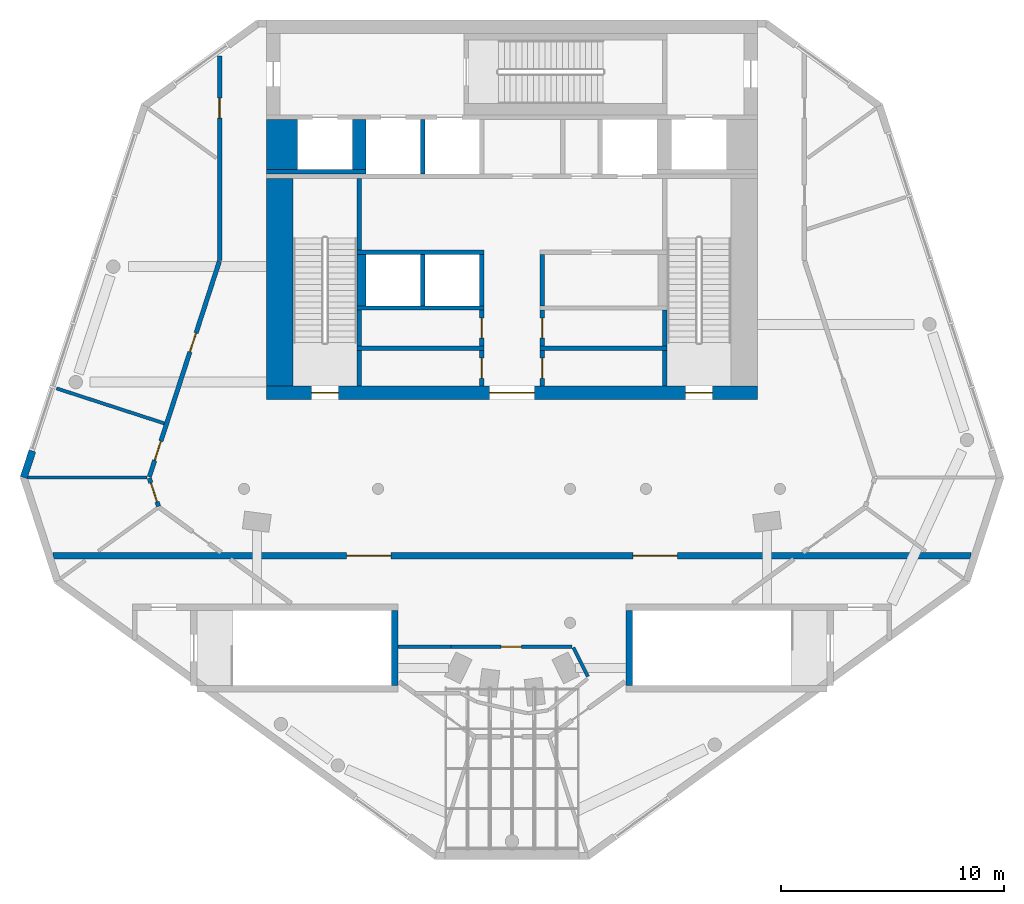
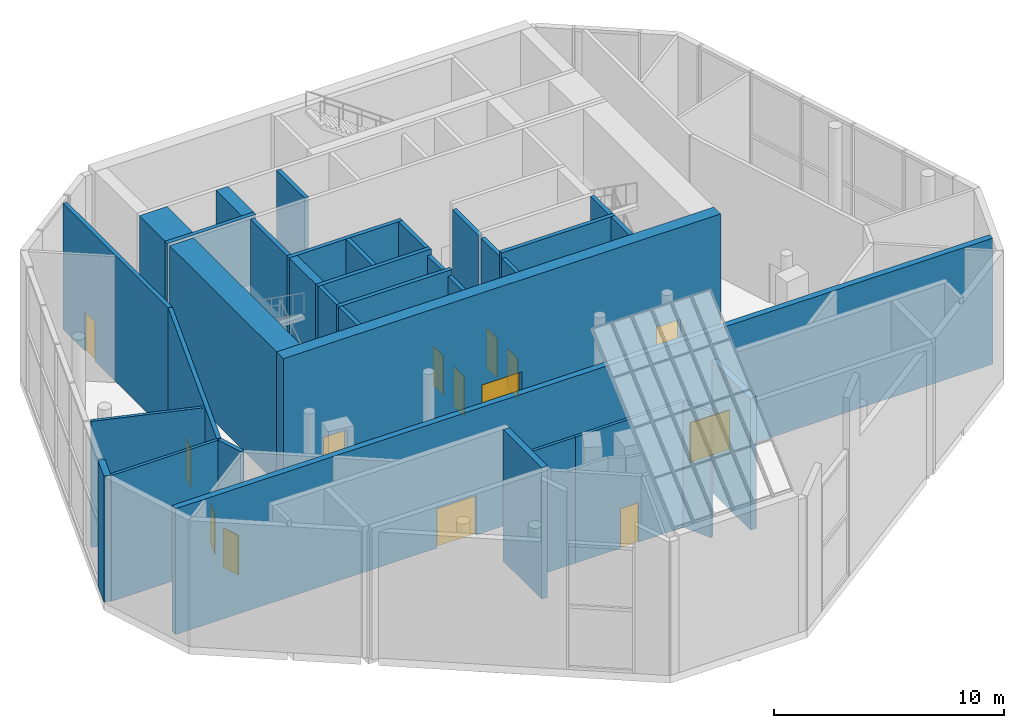
# One storey, part 5 of 9: 35 walls, 14 doors, 14 openings.
"""IFC4 building model written with IfcOpenShell, lengths in metres."""

from ifc_helpers import new_model, si_unit, direction, frame, frame_2d, origin, place, context, subcontext, project, spatial, rectangle, extrude, material, layer, layer_set, type_object, element, fill, save


model = new_model("IFC4")

# Units and contexts
model_context = context("Model", 3, precision=1e-05, world=origin(), true_north=direction((0.0, 1.0)))
body_context = subcontext(model_context, "Body", "Model", "MODEL_VIEW")
ifc_project = project(units=[si_unit("LENGTHUNIT", "METRE"), si_unit("AREAUNIT", "SQUARE_METRE"), si_unit("VOLUMEUNIT", "CUBIC_METRE"), si_unit("PLANEANGLEUNIT", "RADIAN"), si_unit("MASSUNIT", "GRAM", prefix="KILO")], contexts=[model_context])

# Site, building, storey
site_placement = place(None, origin())
site = spatial("IfcSite", under=ifc_project, at=site_placement, CompositionType="ELEMENT")
building_placement = place(site_placement, origin())
building = spatial("IfcBuilding", under=site, at=building_placement, Name="White Candle Pilgrim Tower", CompositionType="ELEMENT")
storey_placement = place(building_placement, frame((0.0, 0.0, 321.699951171875)))
storey = spatial("IfcBuildingStorey", under=building, at=storey_placement, Name="L76", CompositionType="ELEMENT", Elevation=321.699951171875)

# Walls
ifc_material_1 = material(Name="Concrete C40/50", Category="concrete")
ifc_layer_1 = layer(ifc_material_1, 1.39990234375)
ifc_layer_set_1 = layer_set([ifc_layer_1], Name="Core wall 1400 mm Concrete C40/50")
wall_type_1 = type_object("IfcWallType", Name="Core wall 1400 mm Concrete C40/50", PredefinedType="SHEAR", material=ifc_layer_set_1)
wall_1_placement = place(storey_placement, frame((59.699951171875, 81.300048828125, 0.0), z_axis=(0.0, 0.0, 1.0), x_axis=(0.0, 1.0, 0.0)))
element("IfcWall", 1, at=wall_1_placement, inside=storey, type_object=wall_type_1, Name="WL-L76-C42", PredefinedType="SHEAR", context=body_context, shape_type="SweptSolid", body=[
    extrude(rectangle(XDim=2.25, YDim=1.39990234375, at=frame_2d((1.125, 0.0))), origin(), (0.0, 0.0, 1.0), 7.0),
])
ifc_layer_2 = layer(ifc_material_1, 0.199951171875)
ifc_layer_set_2 = layer_set([ifc_layer_2], Name="Core wall 200 mm Concrete C40/50")
wall_type_2 = type_object("IfcWallType", Name="Core wall 200 mm Concrete C40/50", PredefinedType="SHEAR", material=ifc_layer_set_2)
wall_2_placement = place(storey_placement, frame((59.0, 81.199951171875, 0.0), z_axis=(0.0, 0.0, 1.0), x_axis=(1.0, 0.0, 0.0)))
element("IfcWall", 2, at=wall_2_placement, inside=storey, type_object=wall_type_2, Name="WL-L76-C36", PredefinedType="SHEAR", context=body_context, shape_type="SweptSolid", body=[
    extrude(rectangle(XDim=4.449951171875, YDim=0.199951171875, at=frame_2d((2.22509765625, 0.0))), origin(), (0.0, 0.0, 1.0), 7.0),
])

# Wall, opening, door
ifc_material_2 = material(Name="Gypsum board on steel studs", Category="steel")
ifc_layer_3 = layer(ifc_material_2, 0.199951171875)
ifc_layer_set_3 = layer_set([ifc_layer_3], Name="Corridor wall 200 mm EI 45")
wall_type_3 = type_object("IfcWallType", Name="Corridor wall 200 mm EI 45", PredefinedType="PARTITIONING", material=ifc_layer_set_3)
wall_3_placement = place(storey_placement, frame((54.168212890625, 66.211181640625, 0.0), z_axis=(0.0, 0.0, 1.0), x_axis=(-0.309069492054, 0.951039457163, 0.0)))
wall_3 = element("IfcWall", 3, at=wall_3_placement, inside=storey, type_object=wall_type_3, Name="WL-L76-P012", PredefinedType="PARTITIONING", context=body_context, shape_type="SweptSolid", body=[
    extrude(rectangle(XDim=1.331787109375, YDim=0.199951171875, at=frame_2d((0.666015625, 0.0))), origin(), (0.0, 0.0, 1.0), 6.699951171875),
])
opening_1_placement = place(wall_3_placement, frame((0.2158203125, 0.0, 0.0)))
opening_1 = element("IfcOpeningElement", 4, at=opening_1_placement, cuts=wall_3, Name="Opening L76-115", PredefinedType="OPENING", context=body_context, shape_type="SweptSolid", body=[
    extrude(rectangle(XDim=0.89990234375, YDim=2.10009765625, at=frame_2d((0.449951171875, 1.050048828125))), frame((0.0, 0.10986328125, 0.0), z_axis=(0.0, -1.0, 0.0), x_axis=(1.0, 0.0, 0.0)), (0.0, 0.0, 1.0), 0.219970703125),
])
ifc_material_3 = material(Name="Steel door leaf", Category="steel")
door_type_1 = type_object("IfcDoorType", Name="Fire door 900 x 2100 EI 30", OperationType="NOTDEFINED", PredefinedType="DOOR", material=ifc_material_3)
door_1_placement = place(opening_1_placement, origin())
door_1 = element("IfcDoor", 5, at=door_1_placement, inside=storey, type_object=door_type_1, Name="Door L76-115", OperationType="SINGLE_SWING_LEFT", OverallHeight=2.10009765625, OverallWidth=0.89990234375, PredefinedType="DOOR", context=body_context, shape_type="SweptSolid", body=[
    extrude(rectangle(XDim=0.89990234375, YDim=2.10009765625, at=frame_2d((0.449951171875, 1.050048828125))), frame((0.0, 0.02490234375, 0.0), z_axis=(0.0, -1.0, 0.0), x_axis=(1.0, 0.0, 0.0)), (0.0, 0.0, 1.0), 0.050048828125),
])
fill(opening_1, door_1)

# Wall, openings, doors
wall_4_placement = place(storey_placement, frame((53.756591796875, 67.53955078125, 0.0), z_axis=(0.0, 0.0, 1.0), x_axis=(0.309014322992, 0.951057384276, 0.0)))
wall_4 = element("IfcWall", 6, at=wall_4_placement, inside=storey, type_object=wall_type_3, Name="WL-L76-P013", PredefinedType="PARTITIONING", context=body_context, shape_type="SweptSolid", body=[
    extrude(rectangle(XDim=10.15625, YDim=0.199951171875, at=frame_2d((5.078125, 0.0))), origin(), (0.0, 0.0, 1.0), 6.699951171875),
])
opening_2_placement = place(wall_4_placement, frame((5.87744140625, 0.0, 0.0)))
opening_2 = element("IfcOpeningElement", 7, at=opening_2_placement, cuts=wall_4, Name="Opening L76-102", PredefinedType="OPENING", context=body_context, shape_type="SweptSolid", body=[
    extrude(rectangle(XDim=0.89990234375, YDim=2.10009765625, at=frame_2d((0.449951171875, 1.050048828125))), frame((0.0, 0.10986328125, 0.0), z_axis=(0.0, -1.0, 0.0), x_axis=(1.0, 0.0, 0.0)), (0.0, 0.0, 1.0), 0.219970703125),
])
opening_3_placement = place(wall_4_placement, frame((0.775146484375, 0.0, 0.0)))
opening_3 = element("IfcOpeningElement", 8, at=opening_3_placement, cuts=wall_4, Name="Opening L76-103", PredefinedType="OPENING", context=body_context, shape_type="SweptSolid", body=[
    extrude(rectangle(XDim=0.89990234375, YDim=2.10009765625, at=frame_2d((0.449951171875, 1.050048828125))), frame((0.0, 0.10986328125, 0.0), z_axis=(0.0, -1.0, 0.0), x_axis=(1.0, 0.0, 0.0)), (0.0, 0.0, 1.0), 0.219970703125),
])
door_2_placement = place(opening_2_placement, origin())
door_2 = element("IfcDoor", 9, at=door_2_placement, inside=storey, type_object=door_type_1, Name="Door L76-102", OperationType="SINGLE_SWING_RIGHT", OverallHeight=2.10009765625, OverallWidth=0.89990234375, PredefinedType="DOOR", context=body_context, shape_type="SweptSolid", body=[
    extrude(rectangle(XDim=0.89990234375, YDim=2.10009765625, at=frame_2d((0.449951171875, 1.050048828125))), frame((0.0, 0.02490234375, 0.0), z_axis=(0.0, -1.0, 0.0), x_axis=(1.0, 0.0, 0.0)), (0.0, 0.0, 1.0), 0.050048828125),
])
fill(opening_2, door_2)
door_3_placement = place(opening_3_placement, origin())
door_3 = element("IfcDoor", 10, at=door_3_placement, inside=storey, type_object=door_type_1, Name="Door L76-103", OperationType="SINGLE_SWING_LEFT", OverallHeight=2.10009765625, OverallWidth=0.89990234375, PredefinedType="DOOR", context=body_context, shape_type="SweptSolid", body=[
    extrude(rectangle(XDim=0.89990234375, YDim=2.10009765625, at=frame_2d((0.449951171875, 1.050048828125))), frame((0.0, 0.02490234375, 0.0), z_axis=(0.0, -1.0, 0.0), x_axis=(1.0, 0.0, 0.0)), (0.0, 0.0, 1.0), 0.050048828125),
])
fill(opening_3, door_3)

# Wall, opening, door
wall_5_placement = place(storey_placement, frame((56.89990234375, 77.2294921875, 0.0), z_axis=(0.0, 0.0, 1.0), x_axis=(0.0, 1.0, 0.0)))
wall_5 = element("IfcWall", 11, at=wall_5_placement, inside=storey, type_object=wall_type_3, Name="WL-L76-P014", PredefinedType="PARTITIONING", context=body_context, shape_type="SweptSolid", body=[
    extrude(rectangle(XDim=9.166748046875, YDim=0.199951171875, at=frame_2d((4.58349609375, 0.0))), origin(), (0.0, 0.0, 1.0), 6.699951171875),
])
opening_4_placement = place(wall_5_placement, frame((6.374267578125, 0.0, 0.0)))
opening_4 = element("IfcOpeningElement", 12, at=opening_4_placement, cuts=wall_5, Name="Opening L76-101", PredefinedType="OPENING", context=body_context, shape_type="SweptSolid", body=[
    extrude(rectangle(XDim=0.89990234375, YDim=2.10009765625, at=frame_2d((0.449951171875, 1.050048828125))), frame((0.0, 0.10986328125, 0.0), z_axis=(0.0, -1.0, 0.0), x_axis=(1.0, 0.0, 0.0)), (0.0, 0.0, 1.0), 0.219970703125),
])
door_4_placement = place(opening_4_placement, origin())
door_4 = element("IfcDoor", 13, at=door_4_placement, inside=storey, type_object=door_type_1, Name="Door L76-101", OperationType="SINGLE_SWING_LEFT", OverallHeight=2.10009765625, OverallWidth=0.89990234375, PredefinedType="DOOR", context=body_context, shape_type="SweptSolid", body=[
    extrude(rectangle(XDim=0.89990234375, YDim=2.10009765625, at=frame_2d((0.449951171875, 1.050048828125))), frame((0.0, 0.02490234375, 0.0), z_axis=(0.0, -1.0, 0.0), x_axis=(1.0, 0.0, 0.0)), (0.0, 0.0, 1.0), 0.050048828125),
])
fill(opening_4, door_4)

# Wall
ifc_material_4 = material(Name="Precast concrete C40/50", Category="concrete")
ifc_layer_4 = layer(ifc_material_4, 0.320068359375)
ifc_layer_set_4 = layer_set([ifc_layer_4], Name="Facade wall EW1 precast concrete C40/50 pier wall with timber-lined reveals")
wall_type_4 = type_object("IfcWallType", Name="Facade wall EW1 precast concrete C40/50 pier wall with timber-lined reveals", PredefinedType="SOLIDWALL", material=ifc_layer_set_4)
wall_6_placement = place(storey_placement, frame((48.51806640625, 68.69775390625, 0.0), z_axis=(0.0, 0.0, 1.0), x_axis=(-0.308896217873, -0.951095750481, 0.0)))
element("IfcWall", 14, at=wall_6_placement, inside=storey, type_object=wall_type_4, Name="Facade wall L76 WNW", PredefinedType="SOLIDWALL", context=body_context, shape_type="SweptSolid", body=[
    extrude(rectangle(XDim=1.250244140625, YDim=0.320068359375, at=frame_2d((0.625, 0.0))), origin(), (0.0, 0.0, 1.0), 6.699951171875),
])

# Wall, openings, doors
ifc_material_5 = material(Name="Aerated concrete block", Category="concrete")
ifc_layer_5 = layer(ifc_material_5, 0.300048828125)
ifc_layer_set_5 = layer_set([ifc_layer_5], Name="Fire wall 300 mm REI 240")
wall_type_5 = type_object("IfcWallType", Name="Fire wall 300 mm REI 240", PredefinedType="PARTITIONING", material=ifc_layer_set_5)
wall_7_placement = place(storey_placement, frame((49.43994140625, 64.0, 0.0), z_axis=(0.0, 0.0, 1.0), x_axis=(1.0, 0.0, 0.0)))
wall_7 = element("IfcWall", 15, at=wall_7_placement, inside=storey, type_object=wall_type_5, Name="WL-L76-P001", PredefinedType="PARTITIONING", context=body_context, shape_type="SweptSolid", body=[
    extrude(rectangle(XDim=41.1201171875, YDim=0.300048828125, at=frame_2d((20.56005859375, 0.0))), origin(), (0.0, 0.0, 1.0), 6.699951171875),
])
opening_5_placement = place(wall_7_placement, frame((13.149658203125, 0.0, 0.0)))
opening_5 = element("IfcOpeningElement", 16, at=opening_5_placement, cuts=wall_7, Name="Opening L76-113", PredefinedType="OPENING", context=body_context, shape_type="SweptSolid", body=[
    extrude(rectangle(XDim=2.0, YDim=2.10009765625, at=frame_2d((1.0, 1.050048828125))), frame((0.0, 0.159912109375, 0.0), z_axis=(0.0, -1.0, 0.0), x_axis=(1.0, 0.0, 0.0)), (0.0, 0.0, 1.0), 0.320068359375),
])
opening_6_placement = place(wall_7_placement, frame((25.970458984375, 0.0, 0.0)))
opening_6 = element("IfcOpeningElement", 17, at=opening_6_placement, cuts=wall_7, Name="Opening L76-114", PredefinedType="OPENING", context=body_context, shape_type="SweptSolid", body=[
    extrude(rectangle(XDim=2.0, YDim=2.10009765625, at=frame_2d((1.0, 1.050048828125))), frame((0.0, 0.159912109375, 0.0), z_axis=(0.0, -1.0, 0.0), x_axis=(1.0, 0.0, 0.0)), (0.0, 0.0, 1.0), 0.320068359375),
])
door_type_2 = type_object("IfcDoorType", Name="Fire door 2000 x 2100 EI 60", OperationType="NOTDEFINED", PredefinedType="DOOR", material=ifc_material_3)
door_5_placement = place(opening_5_placement, origin())
door_5 = element("IfcDoor", 18, at=door_5_placement, inside=storey, type_object=door_type_2, Name="Door L76-113", OperationType="DOUBLE_DOOR_SINGLE_SWING", OverallHeight=2.10009765625, OverallWidth=2.0, PredefinedType="DOOR", context=body_context, shape_type="SweptSolid", body=[
    extrude(rectangle(XDim=2.0, YDim=2.10009765625, at=frame_2d((1.0, 1.050048828125))), frame((0.0, 0.02490234375, 0.0), z_axis=(0.0, -1.0, 0.0), x_axis=(1.0, 0.0, 0.0)), (0.0, 0.0, 1.0), 0.050048828125),
])
fill(opening_5, door_5)
door_6_placement = place(opening_6_placement, origin())
door_6 = element("IfcDoor", 19, at=door_6_placement, inside=storey, type_object=door_type_2, Name="Door L76-114", OperationType="DOUBLE_DOOR_SINGLE_SWING", OverallHeight=2.10009765625, OverallWidth=2.0, PredefinedType="DOOR", context=body_context, shape_type="SweptSolid", body=[
    extrude(rectangle(XDim=2.0, YDim=2.10009765625, at=frame_2d((1.0, 1.050048828125))), frame((0.0, 0.02490234375, 0.0), z_axis=(0.0, -1.0, 0.0), x_axis=(1.0, 0.0, 0.0)), (0.0, 0.0, 1.0), 0.050048828125),
])
fill(opening_6, door_6)

# Wall, opening, door
ifc_layer_6 = layer(ifc_material_2, 0.199951171875)
ifc_layer_set_6 = layer_set([ifc_layer_6], Name="Lobby wall 200 mm EI 60")
wall_type_6 = type_object("IfcWallType", Name="Lobby wall 200 mm EI 60", PredefinedType="PARTITIONING", material=ifc_layer_set_6)
wall_8_placement = place(storey_placement, frame((68.64990234375, 71.60009765625, 0.0), z_axis=(0.0, 0.0, 1.0), x_axis=(0.0, 1.0, 0.0)))
wall_8 = element("IfcWall", 20, at=wall_8_placement, inside=storey, type_object=wall_type_6, Name="WL-L76-C14", PredefinedType="PARTITIONING", context=body_context, shape_type="SweptSolid", body=[
    extrude(rectangle(XDim=1.599853515625, YDim=0.199951171875, at=frame_2d((0.7998046875, 0.0))), origin(), (0.0, 0.0, 1.0), 6.699951171875),
])
opening_7_placement = place(wall_8_placement, frame((0.35009765625, 0.0, 0.0)))
opening_7 = element("IfcOpeningElement", 21, at=opening_7_placement, cuts=wall_8, Name="Opening L76-005", PredefinedType="OPENING", context=body_context, shape_type="SweptSolid", body=[
    extrude(rectangle(XDim=0.89990234375, YDim=2.10009765625, at=frame_2d((0.449951171875, 1.050048828125))), frame((0.0, 0.10986328125, 0.0), z_axis=(0.0, -1.0, 0.0), x_axis=(1.0, 0.0, 0.0)), (0.0, 0.0, 1.0), 0.219970703125),
])
door_7_placement = place(opening_7_placement, origin())
door_7 = element("IfcDoor", 22, at=door_7_placement, inside=storey, type_object=door_type_1, Name="Door L76-005", OperationType="SINGLE_SWING_LEFT", OverallHeight=2.10009765625, OverallWidth=0.89990234375, PredefinedType="DOOR", context=body_context, shape_type="SweptSolid", body=[
    extrude(rectangle(XDim=0.89990234375, YDim=2.10009765625, at=frame_2d((0.449951171875, 1.050048828125))), frame((0.0, 0.02490234375, 0.0), z_axis=(0.0, -1.0, 0.0), x_axis=(1.0, 0.0, 0.0)), (0.0, 0.0, 1.0), 0.050048828125),
])
fill(opening_7, door_7)

wall_9_placement = place(storey_placement, frame((71.35009765625, 71.60009765625, 0.0), z_axis=(0.0, 0.0, 1.0), x_axis=(0.0, 1.0, 0.0)))
wall_9 = element("IfcWall", 23, at=wall_9_placement, inside=storey, type_object=wall_type_6, Name="WL-L76-C15", PredefinedType="PARTITIONING", context=body_context, shape_type="SweptSolid", body=[
    extrude(rectangle(XDim=1.599853515625, YDim=0.199951171875, at=frame_2d((0.7998046875, 0.0))), origin(), (0.0, 0.0, 1.0), 6.699951171875),
])
opening_8_placement = place(wall_9_placement, frame((0.35009765625, 0.0, 0.0)))
opening_8 = element("IfcOpeningElement", 24, at=opening_8_placement, cuts=wall_9, Name="Opening L76-007", PredefinedType="OPENING", context=body_context, shape_type="SweptSolid", body=[
    extrude(rectangle(XDim=0.89990234375, YDim=2.10009765625, at=frame_2d((0.449951171875, 1.050048828125))), frame((0.0, 0.10986328125, 0.0), z_axis=(0.0, -1.0, 0.0), x_axis=(1.0, 0.0, 0.0)), (0.0, 0.0, 1.0), 0.219970703125),
])
door_8_placement = place(opening_8_placement, origin())
door_8 = element("IfcDoor", 25, at=door_8_placement, inside=storey, type_object=door_type_1, Name="Door L76-007", OperationType="SINGLE_SWING_LEFT", OverallHeight=2.10009765625, OverallWidth=0.89990234375, PredefinedType="DOOR", context=body_context, shape_type="SweptSolid", body=[
    extrude(rectangle(XDim=0.89990234375, YDim=2.10009765625, at=frame_2d((0.449951171875, 1.050048828125))), frame((0.0, 0.02490234375, 0.0), z_axis=(0.0, -1.0, 0.0), x_axis=(1.0, 0.0, 0.0)), (0.0, 0.0, 1.0), 0.050048828125),
])
fill(opening_8, door_8)

wall_10_placement = place(storey_placement, frame((68.64990234375, 73.39990234375, 0.0), z_axis=(0.0, 0.0, 1.0), x_axis=(0.0, 1.0, 0.0)))
wall_10 = element("IfcWall", 26, at=wall_10_placement, inside=storey, type_object=wall_type_6, Name="WL-L76-C21", PredefinedType="PARTITIONING", context=body_context, shape_type="SweptSolid", body=[
    extrude(rectangle(XDim=1.60009765625, YDim=0.199951171875, at=frame_2d((0.800048828125, 0.0))), origin(), (0.0, 0.0, 1.0), 6.699951171875),
])
opening_9_placement = place(wall_10_placement, frame((0.35009765625, 0.0, 0.0)))
opening_9 = element("IfcOpeningElement", 27, at=opening_9_placement, cuts=wall_10, Name="Opening L76-006", PredefinedType="OPENING", context=body_context, shape_type="SweptSolid", body=[
    extrude(rectangle(XDim=0.89990234375, YDim=2.10009765625, at=frame_2d((0.449951171875, 1.050048828125))), frame((0.0, 0.10986328125, 0.0), z_axis=(0.0, -1.0, 0.0), x_axis=(1.0, 0.0, 0.0)), (0.0, 0.0, 1.0), 0.219970703125),
])
door_9_placement = place(opening_9_placement, origin())
door_9 = element("IfcDoor", 28, at=door_9_placement, inside=storey, type_object=door_type_1, Name="Door L76-006", OperationType="SINGLE_SWING_RIGHT", OverallHeight=2.10009765625, OverallWidth=0.89990234375, PredefinedType="DOOR", context=body_context, shape_type="SweptSolid", body=[
    extrude(rectangle(XDim=0.89990234375, YDim=2.10009765625, at=frame_2d((0.449951171875, 1.050048828125))), frame((0.0, 0.02490234375, 0.0), z_axis=(0.0, -1.0, 0.0), x_axis=(1.0, 0.0, 0.0)), (0.0, 0.0, 1.0), 0.050048828125),
])
fill(opening_9, door_9)

wall_11_placement = place(storey_placement, frame((71.35009765625, 73.39990234375, 0.0), z_axis=(0.0, 0.0, 1.0), x_axis=(0.0, 1.0, 0.0)))
wall_11 = element("IfcWall", 29, at=wall_11_placement, inside=storey, type_object=wall_type_6, Name="WL-L76-C22", PredefinedType="PARTITIONING", context=body_context, shape_type="SweptSolid", body=[
    extrude(rectangle(XDim=1.60009765625, YDim=0.199951171875, at=frame_2d((0.800048828125, 0.0))), origin(), (0.0, 0.0, 1.0), 6.699951171875),
])
opening_10_placement = place(wall_11_placement, frame((0.35009765625, 0.0, 0.0)))
opening_10 = element("IfcOpeningElement", 30, at=opening_10_placement, cuts=wall_11, Name="Opening L76-008", PredefinedType="OPENING", context=body_context, shape_type="SweptSolid", body=[
    extrude(rectangle(XDim=0.89990234375, YDim=2.10009765625, at=frame_2d((0.449951171875, 1.050048828125))), frame((0.0, 0.10986328125, 0.0), z_axis=(0.0, -1.0, 0.0), x_axis=(1.0, 0.0, 0.0)), (0.0, 0.0, 1.0), 0.219970703125),
])
door_10_placement = place(opening_10_placement, origin())
door_10 = element("IfcDoor", 31, at=door_10_placement, inside=storey, type_object=door_type_1, Name="Door L76-008", OperationType="SINGLE_SWING_RIGHT", OverallHeight=2.10009765625, OverallWidth=0.89990234375, PredefinedType="DOOR", context=body_context, shape_type="SweptSolid", body=[
    extrude(rectangle(XDim=0.89990234375, YDim=2.10009765625, at=frame_2d((0.449951171875, 1.050048828125))), frame((0.0, 0.02490234375, 0.0), z_axis=(0.0, -1.0, 0.0), x_axis=(1.0, 0.0, 0.0)), (0.0, 0.0, 1.0), 0.050048828125),
])
fill(opening_10, door_10)

# Walls
wall_12_placement = place(storey_placement, frame((71.35009765625, 75.199951171875, 0.0), z_axis=(0.0, 0.0, 1.0), x_axis=(0.0, 1.0, 0.0)))
element("IfcWall", 32, at=wall_12_placement, inside=storey, type_object=wall_type_6, Name="WL-L76-C29", PredefinedType="PARTITIONING", context=body_context, shape_type="SweptSolid", body=[
    extrude(rectangle(XDim=2.300048828125, YDim=0.199951171875, at=frame_2d((1.14990234375, 0.0))), origin(), (0.0, 0.0, 1.0), 6.699951171875),
])
ifc_layer_7 = layer(ifc_material_2, 0.14990234375)
ifc_layer_set_7 = layer_set([ifc_layer_7], Name="Partition 150 mm EI 60")
wall_type_7 = type_object("IfcWallType", Name="Partition 150 mm EI 60", PredefinedType="PARTITIONING", material=ifc_layer_set_7)
wall_13_placement = place(storey_placement, frame((48.300048828125, 67.508544921875, 0.0), z_axis=(0.0, 0.0, 1.0), x_axis=(1.0, 0.0, 0.0)))
element("IfcWall", 33, at=wall_13_placement, inside=storey, type_object=wall_type_7, Name="WL-L76-P016", PredefinedType="PARTITIONING", context=body_context, shape_type="SweptSolid", body=[
    extrude(rectangle(XDim=5.361572265625, YDim=0.14990234375, at=frame_2d((2.6806640625, 0.0))), origin(), (0.0, 0.0, 1.0), 6.699951171875),
])
wall_14_placement = place(storey_placement, frame((49.597412109375, 71.50146484375, 0.0), z_axis=(0.0, 0.0, 1.0), x_axis=(0.951054198012, -0.309024129224, 0.0)))
element("IfcWall", 34, at=wall_14_placement, inside=storey, type_object=wall_type_7, Name="WL-L76-P025", PredefinedType="PARTITIONING", context=body_context, shape_type="SweptSolid", body=[
    extrude(rectangle(XDim=5.079833984375, YDim=0.14990234375, at=frame_2d((2.5400390625, 0.0))), origin(), (0.0, 0.0, 1.0), 6.699951171875),
])
wall_15_placement = place(storey_placement, frame((64.89990234375, 59.932373046875, 0.0), z_axis=(0.0, 0.0, 1.0), x_axis=(0.999989145407, -0.004659299187, 0.0)))
element("IfcWall", 35, at=wall_15_placement, inside=storey, type_object=wall_type_7, Name="WL-L76-P029", PredefinedType="PARTITIONING", context=body_context, shape_type="SweptSolid", body=[
    extrude(rectangle(XDim=2.35791015625, YDim=0.14990234375, at=frame_2d((1.178955078125, 0.0))), origin(), (0.0, 0.0, 1.0), 6.699951171875),
])

# Wall, opening, door
wall_16_placement = place(storey_placement, frame((67.25830078125, 59.92138671875, 0.0), z_axis=(0.0, 0.0, 1.0), x_axis=(0.999997945957, 0.002026840265, 0.0)))
wall_16 = element("IfcWall", 36, at=wall_16_placement, inside=storey, type_object=wall_type_7, Name="WL-L76-P030", PredefinedType="PARTITIONING", context=body_context, shape_type="SweptSolid", body=[
    extrude(rectangle(XDim=5.42041015625, YDim=0.14990234375, at=frame_2d((2.710205078125, 0.0))), origin(), (0.0, 0.0, 1.0), 6.699951171875),
])
opening_11_placement = place(wall_16_placement, frame((2.260009765625, 0.0, 0.0)))
opening_11 = element("IfcOpeningElement", 37, at=opening_11_placement, cuts=wall_16, Name="Opening L76-112", PredefinedType="OPENING", context=body_context, shape_type="SweptSolid", body=[
    extrude(rectangle(XDim=0.89990234375, YDim=2.10009765625, at=frame_2d((0.449951171875, 1.050048828125))), frame((0.0, 0.0849609375, 0.0), z_axis=(0.0, -1.0, 0.0), x_axis=(1.0, 0.0, 0.0)), (0.0, 0.0, 1.0), 0.169921875),
])
door_11_placement = place(opening_11_placement, frame((0.89990234375, 0.0, 0.0), z_axis=(0.0, 0.0, 1.0), x_axis=(-1.0, 0.0, 0.0)))
door_11 = element("IfcDoor", 38, at=door_11_placement, inside=storey, type_object=door_type_1, Name="Door L76-112", OperationType="SINGLE_SWING_LEFT", OverallHeight=2.10009765625, OverallWidth=0.89990234375, PredefinedType="DOOR", context=body_context, shape_type="SweptSolid", body=[
    extrude(rectangle(XDim=0.89990234375, YDim=2.10009765625, at=frame_2d((0.449951171875, 1.050048828125))), frame((0.0, 0.02490234375, 0.0), z_axis=(0.0, -1.0, 0.0), x_axis=(1.0, 0.0, 0.0)), (0.0, 0.0, 1.0), 0.050048828125),
])
fill(opening_11, door_11)

# Walls
wall_17_placement = place(storey_placement, frame((72.745849609375, 59.890869140625, 0.0), z_axis=(0.0, 0.0, 1.0), x_axis=(0.447615600259, -0.894226075668, 0.0)))
element("IfcWall", 39, at=wall_17_placement, inside=storey, type_object=wall_type_7, Name="WL-L76-P031", PredefinedType="PARTITIONING", context=body_context, shape_type="SweptSolid", body=[
    extrude(rectangle(XDim=1.457275390625, YDim=0.14990234375, at=frame_2d((0.728515625, 0.0))), origin(), (0.0, 0.0, 1.0), 6.699951171875),
])
ifc_layer_8 = layer(ifc_material_1, 0.199951171875)
ifc_layer_set_8 = layer_set([ifc_layer_8], Name="Shaft wall 200 mm Concrete C40/50")
wall_type_8 = type_object("IfcWallType", Name="Shaft wall 200 mm Concrete C40/50", PredefinedType="SHEAR", material=ifc_layer_set_8)
for number, where, z_axis, x_axis, name in (
    (40, (66.0, 75.199951171875, 0.0), (0.0, 0.0, 1.0), (0.0, 1.0, 0.0), "WL-L76-C27"),
    (41, (68.64990234375, 75.199951171875, 0.0), (0.0, 0.0, 1.0), (0.0, 1.0, 0.0), "WL-L76-C28"),
):
    element("IfcWall", number, at=place(storey_placement, frame(where, z_axis=z_axis, x_axis=x_axis)), inside=storey, type_object=wall_type_8, Name=name, PredefinedType="SHEAR", context=body_context, shape_type="SweptSolid", body=[
        extrude(rectangle(XDim=2.300048828125, YDim=0.199951171875, at=frame_2d((1.14990234375, 0.0))), origin(), (0.0, 0.0, 1.0), 7.0),
    ])
wall_18_placement = place(storey_placement, frame((66.0, 81.10009765625, 0.0), z_axis=(0.0, 0.0, 1.0), x_axis=(0.0, 1.0, 0.0)))
element("IfcWall", 42, at=wall_18_placement, inside=storey, type_object=wall_type_8, Name="WL-L76-C37", PredefinedType="SHEAR", context=body_context, shape_type="SweptSolid", body=[
    extrude(rectangle(XDim=2.449951171875, YDim=0.199951171875, at=frame_2d((1.22509765625, 0.0))), origin(), (0.0, 0.0, 1.0), 7.0),
])
ifc_layer_9 = layer(ifc_material_1, 0.60009765625)
ifc_layer_set_9 = layer_set([ifc_layer_9], Name="Shaft wall 600 mm Concrete C40/50")
wall_type_9 = type_object("IfcWallType", Name="Shaft wall 600 mm Concrete C40/50", PredefinedType="SHEAR", material=ifc_layer_set_9)
wall_19_placement = place(storey_placement, frame((63.14990234375, 81.300048828125, 0.0), z_axis=(0.0, 0.0, 1.0), x_axis=(0.0, 1.0, 0.0)))
element("IfcWall", 43, at=wall_19_placement, inside=storey, type_object=wall_type_9, Name="WL-L76-C43", PredefinedType="SHEAR", context=body_context, shape_type="SweptSolid", body=[
    extrude(rectangle(XDim=2.25, YDim=0.60009765625, at=frame_2d((1.125, 0.0))), origin(), (0.0, 0.0, 1.0), 7.0),
])
ifc_layer_10 = layer(ifc_material_1, 1.199951171875)
ifc_layer_set_10 = layer_set([ifc_layer_10], Name="Stair shaft wall 1200 mm Concrete C40/50")
wall_type_10 = type_object("IfcWallType", Name="Stair shaft wall 1200 mm Concrete C40/50", PredefinedType="SHEAR", material=ifc_layer_set_10)
wall_20_placement = place(storey_placement, frame((59.60009765625, 71.60009765625, 0.0), z_axis=(0.0, 0.0, 1.0), x_axis=(0.0, 1.0, 0.0)))
element("IfcWall", 44, at=wall_20_placement, inside=storey, type_object=wall_type_10, Name="WL-L76-C12", PredefinedType="SHEAR", context=body_context, shape_type="SweptSolid", body=[
    extrude(rectangle(XDim=9.2998046875, YDim=1.199951171875, at=frame_2d((4.64990234375, 0.0))), origin(), (0.0, 0.0, 1.0), 7.0),
])
ifc_layer_11 = layer(ifc_material_1, 0.199951171875)
ifc_layer_set_11 = layer_set([ifc_layer_11], Name="Stair shaft wall 200 mm Concrete C40/50")
wall_type_11 = type_object("IfcWallType", Name="Stair shaft wall 200 mm Concrete C40/50", PredefinedType="SHEAR", material=ifc_layer_set_11)
for number, where, z_axis, x_axis, name in (
    (45, (63.14990234375, 71.60009765625, 0.0), (0.0, 0.0, 1.0), (0.0, 1.0, 0.0), "WL-L76-C13"),
    (46, (76.85009765625, 71.60009765625, 0.0), (0.0, 0.0, 1.0), (0.0, 1.0, 0.0), "WL-L76-C16"),
):
    element("IfcWall", number, at=place(storey_placement, frame(where, z_axis=z_axis, x_axis=x_axis)), inside=storey, type_object=wall_type_11, Name=name, PredefinedType="SHEAR", context=body_context, shape_type="SweptSolid", body=[
        extrude(rectangle(XDim=1.599853515625, YDim=0.199951171875, at=frame_2d((0.7998046875, 0.0))), origin(), (0.0, 0.0, 1.0), 7.0),
    ])
for number, where, z_axis, x_axis, name in (
    (47, (63.050048828125, 73.300048828125, 0.0), (0.0, 0.0, 1.0), (1.0, 0.0, 0.0), "WL-L76-C18"),
    (48, (71.25, 73.300048828125, 0.0), (0.0, 0.0, 1.0), (1.0, 0.0, 0.0), "WL-L76-C19"),
):
    element("IfcWall", number, at=place(storey_placement, frame(where, z_axis=z_axis, x_axis=x_axis)), inside=storey, type_object=wall_type_11, Name=name, PredefinedType="SHEAR", context=body_context, shape_type="SweptSolid", body=[
        extrude(rectangle(XDim=5.699951171875, YDim=0.199951171875, at=frame_2d((2.85009765625, 0.0))), origin(), (0.0, 0.0, 1.0), 7.0),
    ])
for number, where, z_axis, x_axis, name in (
    (49, (63.14990234375, 73.39990234375, 0.0), (0.0, 0.0, 1.0), (0.0, 1.0, 0.0), "WL-L76-C20"),
    (50, (76.85009765625, 73.39990234375, 0.0), (0.0, 0.0, 1.0), (0.0, 1.0, 0.0), "WL-L76-C23"),
):
    element("IfcWall", number, at=place(storey_placement, frame(where, z_axis=z_axis, x_axis=x_axis)), inside=storey, type_object=wall_type_11, Name=name, PredefinedType="SHEAR", context=body_context, shape_type="SweptSolid", body=[
        extrude(rectangle(XDim=1.60009765625, YDim=0.199951171875, at=frame_2d((0.800048828125, 0.0))), origin(), (0.0, 0.0, 1.0), 7.0),
    ])
for number, where, z_axis, x_axis, name in (
    (51, (63.050048828125, 75.10009765625, 0.0), (0.0, 0.0, 1.0), (1.0, 0.0, 0.0), "WL-L76-C24"),
    (52, (63.050048828125, 77.60009765625, 0.0), (0.0, 0.0, 1.0), (1.0, 0.0, 0.0), "WL-L76-C31"),
):
    element("IfcWall", number, at=place(storey_placement, frame(where, z_axis=z_axis, x_axis=x_axis)), inside=storey, type_object=wall_type_11, Name=name, PredefinedType="SHEAR", context=body_context, shape_type="SweptSolid", body=[
        extrude(rectangle(XDim=5.699951171875, YDim=0.199951171875, at=frame_2d((2.85009765625, 0.0))), origin(), (0.0, 0.0, 1.0), 7.0),
    ])
wall_21_placement = place(storey_placement, frame((63.14990234375, 77.699951171875, 0.0), z_axis=(0.0, 0.0, 1.0), x_axis=(0.0, 1.0, 0.0)))
element("IfcWall", 53, at=wall_21_placement, inside=storey, type_object=wall_type_11, Name="WL-L76-C33", PredefinedType="SHEAR", context=body_context, shape_type="SweptSolid", body=[
    extrude(rectangle(XDim=3.199951171875, YDim=0.199951171875, at=frame_2d((1.60009765625, 0.0))), origin(), (0.0, 0.0, 1.0), 7.0),
])
ifc_layer_12 = layer(ifc_material_1, 0.300048828125)
ifc_layer_set_12 = layer_set([ifc_layer_12], Name="Stair shaft wall 300 mm Concrete C40/50")
wall_type_12 = type_object("IfcWallType", Name="Stair shaft wall 300 mm Concrete C40/50", PredefinedType="SHEAR", material=ifc_layer_set_12)
for number, where, z_axis, x_axis, name in (
    (54, (64.75, 58.199951171875, 0.0), (0.0, 0.0, 1.0), (0.0, 1.0, 0.0), "WL-L76-C04"),
    (55, (75.25, 58.199951171875, 0.0), (0.0, 0.0, 1.0), (0.0, 1.0, 0.0), "WL-L76-C05"),
):
    element("IfcWall", number, at=place(storey_placement, frame(where, z_axis=z_axis, x_axis=x_axis)), inside=storey, type_object=wall_type_12, Name=name, PredefinedType="SHEAR", context=body_context, shape_type="SweptSolid", body=[
        extrude(rectangle(XDim=3.35009765625, YDim=0.300048828125, at=frame_2d((1.675048828125, 0.0))), origin(), (0.0, 0.0, 1.0), 7.0),
    ])
ifc_layer_13 = layer(ifc_material_1, 0.39990234375)
ifc_layer_set_13 = layer_set([ifc_layer_13], Name="Stair shaft wall 400 mm Concrete C40/50")
wall_type_13 = type_object("IfcWallType", Name="Stair shaft wall 400 mm Concrete C40/50", PredefinedType="SHEAR", material=ifc_layer_set_13)
wall_22_placement = place(storey_placement, frame((63.25, 75.199951171875, 0.0), z_axis=(0.0, 0.0, 1.0), x_axis=(0.0, 1.0, 0.0)))
element("IfcWall", 56, at=wall_22_placement, inside=storey, type_object=wall_type_13, Name="WL-L76-C26", PredefinedType="SHEAR", context=body_context, shape_type="SweptSolid", body=[
    extrude(rectangle(XDim=2.300048828125, YDim=0.39990234375, at=frame_2d((1.14990234375, 0.0))), origin(), (0.0, 0.0, 1.0), 7.0),
])

# Wall, openings, doors
ifc_layer_14 = layer(ifc_material_1, 0.60009765625)
ifc_layer_set_14 = layer_set([ifc_layer_14], Name="Stair shaft wall 600 mm Concrete C40/50")
wall_type_14 = type_object("IfcWallType", Name="Stair shaft wall 600 mm Concrete C40/50", PredefinedType="SHEAR", material=ifc_layer_set_14)
wall_23_placement = place(storey_placement, frame((59.0, 71.300048828125, 0.0), z_axis=(0.0, 0.0, 1.0), x_axis=(1.0, 0.0, 0.0)))
wall_23 = element("IfcWall", 57, at=wall_23_placement, inside=storey, type_object=wall_type_14, Name="WL-L76-C11", PredefinedType="SHEAR", context=body_context, shape_type="SweptSolid", body=[
    extrude(rectangle(XDim=22.0, YDim=0.60009765625, at=frame_2d((11.0, 0.0))), origin(), (0.0, 0.0, 1.0), 7.0),
])
opening_12_placement = place(wall_23_placement, frame((2.02490234375, 0.0, 0.0)))
opening_12 = element("IfcOpeningElement", 58, at=opening_12_placement, cuts=wall_23, Name="Opening L76-001", PredefinedType="OPENING", context=body_context, shape_type="SweptSolid", body=[
    extrude(rectangle(XDim=1.199951171875, YDim=2.10009765625, at=frame_2d((0.60009765625, 1.050048828125))), frame((0.0, 0.31005859375, 0.0), z_axis=(0.0, -1.0, 0.0), x_axis=(1.0, 0.0, 0.0)), (0.0, 0.0, 1.0), 0.6201171875),
])
opening_13_placement = place(wall_23_placement, frame((18.77490234375, 0.0, 0.0)))
opening_13 = element("IfcOpeningElement", 59, at=opening_13_placement, cuts=wall_23, Name="Opening L76-002", PredefinedType="OPENING", context=body_context, shape_type="SweptSolid", body=[
    extrude(rectangle(XDim=1.199951171875, YDim=2.10009765625, at=frame_2d((0.60009765625, 1.050048828125))), frame((0.0, 0.31005859375, 0.0), z_axis=(0.0, -1.0, 0.0), x_axis=(1.0, 0.0, 0.0)), (0.0, 0.0, 1.0), 0.6201171875),
])
opening_14_placement = place(wall_23_placement, frame((10.0, 0.0, 0.0)))
opening_14 = element("IfcOpeningElement", 60, at=opening_14_placement, cuts=wall_23, Name="Opening L76-004", PredefinedType="OPENING", context=body_context, shape_type="SweptSolid", body=[
    extrude(rectangle(XDim=2.0, YDim=2.10009765625, at=frame_2d((1.0, 1.050048828125))), frame((0.0, 0.31005859375, 0.0), z_axis=(0.0, -1.0, 0.0), x_axis=(1.0, 0.0, 0.0)), (0.0, 0.0, 1.0), 0.6201171875),
])
door_type_3 = type_object("IfcDoorType", Name="Fire door 1200 x 2100 EI 60", OperationType="NOTDEFINED", PredefinedType="DOOR", material=ifc_material_3)
door_12_placement = place(opening_12_placement, frame((1.199951171875, 0.0, 0.0), z_axis=(0.0, 0.0, 1.0), x_axis=(-1.0, 0.0, 0.0)))
door_12 = element("IfcDoor", 61, at=door_12_placement, inside=storey, type_object=door_type_3, Name="Door L76-001", OperationType="SINGLE_SWING_RIGHT", OverallHeight=2.10009765625, OverallWidth=1.199951171875, PredefinedType="DOOR", context=body_context, shape_type="SweptSolid", body=[
    extrude(rectangle(XDim=1.199951171875, YDim=2.10009765625, at=frame_2d((0.60009765625, 1.050048828125))), frame((0.0, 0.02490234375, 0.0), z_axis=(0.0, -1.0, 0.0), x_axis=(1.0, 0.0, 0.0)), (0.0, 0.0, 1.0), 0.050048828125),
])
fill(opening_12, door_12)
door_13_placement = place(opening_13_placement, frame((1.199951171875, 0.0, 0.0), z_axis=(0.0, 0.0, 1.0), x_axis=(-1.0, 0.0, 0.0)))
door_13 = element("IfcDoor", 62, at=door_13_placement, inside=storey, type_object=door_type_3, Name="Door L76-002", OperationType="SINGLE_SWING_LEFT", OverallHeight=2.10009765625, OverallWidth=1.199951171875, PredefinedType="DOOR", context=body_context, shape_type="SweptSolid", body=[
    extrude(rectangle(XDim=1.199951171875, YDim=2.10009765625, at=frame_2d((0.60009765625, 1.050048828125))), frame((0.0, 0.02490234375, 0.0), z_axis=(0.0, -1.0, 0.0), x_axis=(1.0, 0.0, 0.0)), (0.0, 0.0, 1.0), 0.050048828125),
])
fill(opening_13, door_13)
door_14_placement = place(opening_14_placement, frame((2.0, 0.0, 0.0), z_axis=(0.0, 0.0, 1.0), x_axis=(-1.0, 0.0, 0.0)))
door_14 = element("IfcDoor", 63, at=door_14_placement, inside=storey, type_object=door_type_2, Name="Door L76-004", OperationType="DOUBLE_DOOR_SINGLE_SWING", OverallHeight=2.10009765625, OverallWidth=2.0, PredefinedType="DOOR", context=body_context, shape_type="SweptSolid", body=[
    extrude(rectangle(XDim=2.0, YDim=2.10009765625, at=frame_2d((1.0, 1.050048828125))), frame((0.0, 0.02490234375, 0.0), z_axis=(0.0, -1.0, 0.0), x_axis=(1.0, 0.0, 0.0)), (0.0, 0.0, 1.0), 0.050048828125),
])
fill(opening_14, door_14)

save(model, "model.ifc")
